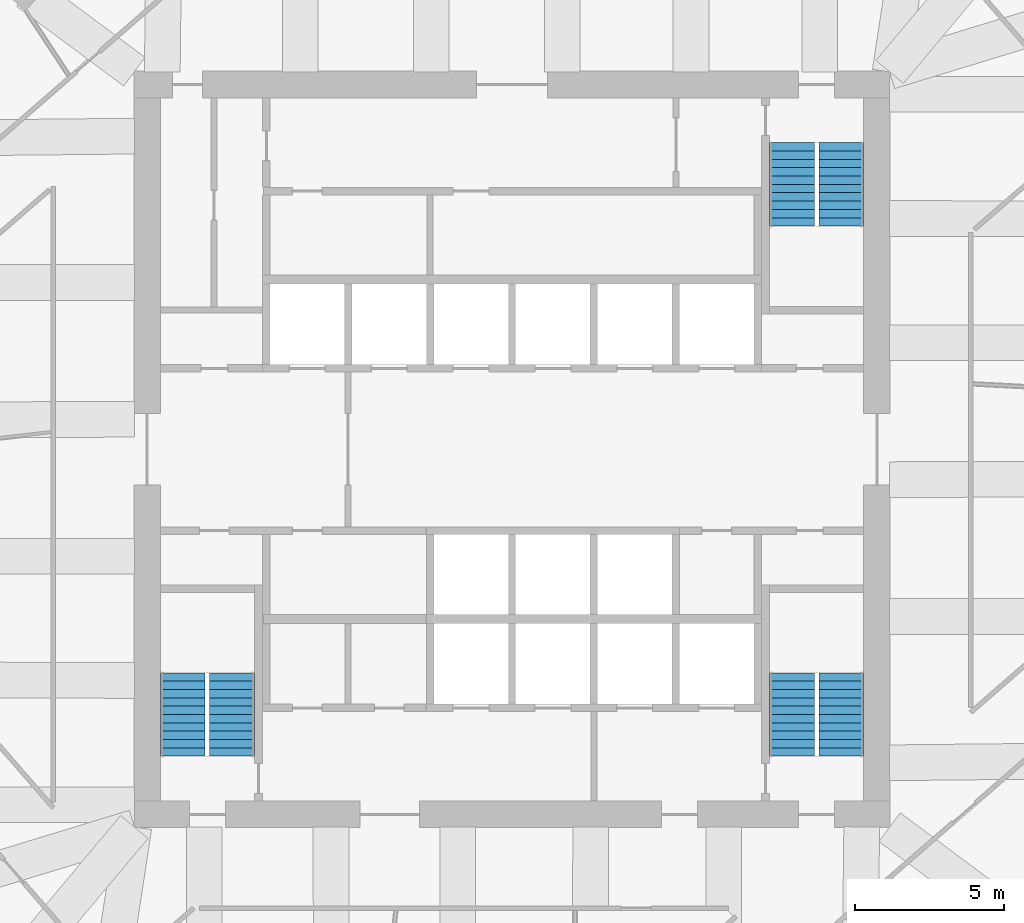
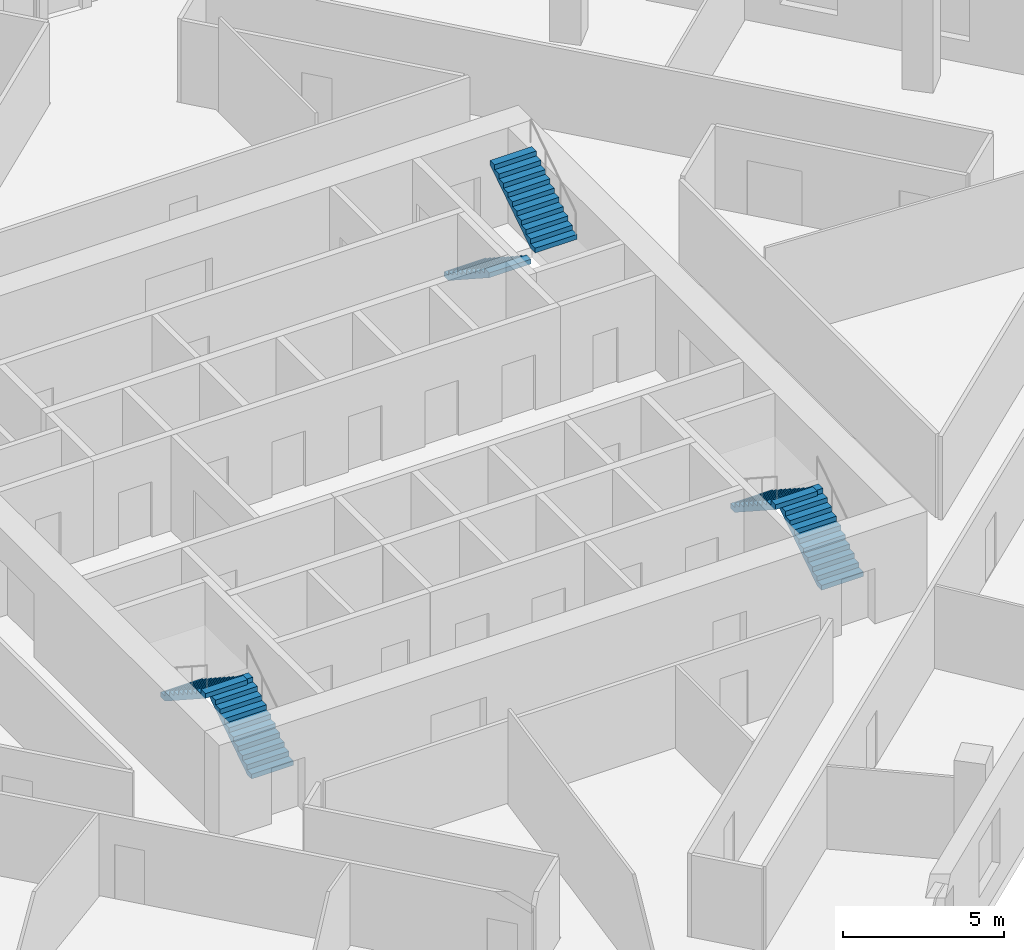
# One storey, part 9 of 11: 6 stair flights, 3 elements without a shape of their own.
"""IFC4 building model written with IfcOpenShell, lengths in metres."""

import ifcopenshell
import ifcopenshell.guid

model = None  # the IFC model being written
_history = None  # IfcOwnerHistory: only IFC2X3 demands one
_inside = {}  # id of a spatial element -> (the spatial element, [elements in it])
_under = {}  # id of a project, library or spatial element -> (it, [spatial elements below it])
_declared = {}  # id of a project -> (the project, [libraries it declares])
_typed = {}  # id of a type object -> (the type object, [elements of that type])
_made_of = {}  # id of a material, layer set ... -> (it, [elements and type objects made of it])


def new_model(schema):
    """Start an empty IFC model of exactly this schema.

    Asked for "IFC4X3", IfcOpenShell would pick the latest addendum, in which some entities
    have other attributes; the version numbers below select the first issue.
    IFC2X3 requires an IfcOwnerHistory on every rooted entity: one is made here for all.
    """
    global model, _history
    if schema == "IFC4X3":
        model = ifcopenshell.file(schema_version=(4, 3, 0, 0))
    else:
        model = ifcopenshell.file(schema=schema)
    _inside.clear()
    _under.clear()
    _declared.clear()
    _typed.clear()
    _made_of.clear()
    _history = None
    if model.schema == "IFC2X3":
        org = make("IfcOrganization", Name="unknown")
        user = make(
            "IfcPersonAndOrganization",
            ThePerson=make("IfcPerson", FamilyName="unknown"),
            TheOrganization=org,
        )
        app = make(
            "IfcApplication",
            ApplicationDeveloper=org,
            Version="unknown",
            ApplicationFullName="unknown",
            ApplicationIdentifier="unknown",
        )
        _history = make(
            "IfcOwnerHistory",
            OwningUser=user,
            OwningApplication=app,
            ChangeAction="ADDED",
            CreationDate=0,
        )
    return model


def make(cls, **values):
    """One entity of the class cls with the attributes given. An attribute that is None is left unset."""
    return model.create_entity(
        cls, **{name: value for name, value in values.items() if value is not None}
    )


def rooted(cls, **values):
    """An entity with a GlobalId (a new one), such as an element, a storey or a relation."""
    return make(cls, GlobalId=ifcopenshell.guid.new(), OwnerHistory=_history, **values)


def si_unit(unit_type, name, prefix=None):
    """IfcSIUnit, for example si_unit("LENGTHUNIT", "METRE", prefix="MILLI")."""
    return make("IfcSIUnit", UnitType=unit_type, Prefix=prefix, Name=name)


def assignment(units):
    """IfcUnitAssignment: the units of a project."""
    return None if units is None else make("IfcUnitAssignment", Units=units)


def point(xyz):
    """IfcCartesianPoint."""
    return None if xyz is None else make("IfcCartesianPoint", Coordinates=xyz)


def direction(xyz):
    """IfcDirection."""
    return None if xyz is None else make("IfcDirection", DirectionRatios=xyz)


def frame(location, z_axis=None, x_axis=None):
    """IfcAxis2Placement3D, a coordinate frame: its origin and axes. An axis left out is left unset."""
    return make(
        "IfcAxis2Placement3D",
        Location=point(location),
        Axis=direction(z_axis),
        RefDirection=direction(x_axis),
    )


def origin():
    """The frame at (0, 0, 0) with its axes left unset."""
    return frame((0.0, 0.0, 0.0))


def place(relative_to, where):
    """IfcLocalPlacement: puts the frame where relative to a parent placement (None: the world)."""
    return make(
        "IfcLocalPlacement", PlacementRelTo=relative_to, RelativePlacement=where
    )


def context(
    kind, dimensions, precision=None, world=None, true_north=None, identifier=None
):
    """IfcGeometricRepresentationContext, for example the 3D "Model" context."""
    return make(
        "IfcGeometricRepresentationContext",
        ContextIdentifier=identifier,
        ContextType=kind,
        CoordinateSpaceDimension=dimensions,
        Precision=precision,
        WorldCoordinateSystem=world,
        TrueNorth=true_north,
    )


def subcontext(parent, identifier, kind, view, scale=None):
    """IfcGeometricRepresentationSubContext, for example "Body" below "Model"."""
    return make(
        "IfcGeometricRepresentationSubContext",
        ContextIdentifier=identifier,
        ContextType=kind,
        ParentContext=parent,
        TargetScale=scale,
        TargetView=view,
    )


def project(units=None, contexts=None):
    """IfcProject with its units and contexts."""
    return rooted(
        "IfcProject",
        Name="project",
        RepresentationContexts=contexts,
        UnitsInContext=assignment(units),
    )


def spatial(cls, under=None, at=None, **own):
    """A site, building, storey or space (cls), placed at a placement, below another one or the project."""
    s = rooted(cls, ObjectPlacement=at, **own)
    if under is not None:
        _under.setdefault(under.id(), (under, []))[1].append(s)
    return s


def polyline(points):
    """IfcPolyline through the points."""
    return make("IfcPolyline", Points=[point(p) for p in points])


def outline(outer, holes=None, kind="AREA"):
    """IfcArbitraryClosedProfileDef: a profile drawn as a closed curve; with holes, ...WithVoids."""
    if holes is None:
        return make("IfcArbitraryClosedProfileDef", ProfileType=kind, OuterCurve=outer)
    return make(
        "IfcArbitraryProfileDefWithVoids",
        ProfileType=kind,
        OuterCurve=outer,
        InnerCurves=holes,
    )


def extrude(swept, where, along, depth):
    """IfcExtrudedAreaSolid: the profile swept, set in the frame where, extruded along a direction by depth."""
    return make(
        "IfcExtrudedAreaSolid",
        SweptArea=swept,
        Position=where,
        ExtrudedDirection=direction(along),
        Depth=depth,
    )


def shape(context_of_items, identifier, shape_type, items):
    """IfcShapeRepresentation: the items that make up one representation, for example the "Body"."""
    return make(
        "IfcShapeRepresentation",
        ContextOfItems=context_of_items,
        RepresentationIdentifier=identifier,
        RepresentationType=shape_type,
        Items=items,
    )


def material(Name=None, Category=None):
    """IfcMaterial."""
    return make("IfcMaterial", Name=Name, Category=Category)


def made_of(thing, what):
    """Note that an element or type object is made of a material, layer set ...; save() writes the relation."""
    if what is not None:
        _made_of.setdefault(what.id(), (what, []))[1].append(thing)
    return thing


def type_object(cls, material=None, **own):
    """A type object (cls), such as IfcWallType, which elements share."""
    return made_of(rooted(cls, **own), material)


def element(
    cls,
    number,
    at=None,
    inside=None,
    cuts=None,
    type_object=None,
    material=None,
    context=None,
    identifier="Body",
    shape_type=None,
    held_by="IfcProductDefinitionShape",
    body=None,
    shapes=None,
    **own,
):
    """One element of the class cls, such as IfcWall. Its Tag is "e" and its number.

    at: its placement. inside: the storey or other place that contains it. cuts: it is an
    opening in that element (IfcRelVoidsElement). A single representation is given by context,
    identifier, shape_type and body (its items); several are given by shapes. held_by: the class
    of the entity that holds the representations. save() writes the other relations.
    """
    e = rooted(cls, Tag="e%d" % number, ObjectPlacement=at, **own)
    if body is not None:
        shapes = [shape(context, identifier, shape_type, body)]
    if shapes is not None:
        e.Representation = make(held_by, Representations=shapes)
    if inside is not None:
        _inside.setdefault(inside.id(), (inside, []))[1].append(e)
    if cuts is not None:
        rooted(
            "IfcRelVoidsElement", RelatingBuildingElement=cuts, RelatedOpeningElement=e
        )
    if type_object is not None:
        _typed.setdefault(type_object.id(), (type_object, []))[1].append(e)
    return made_of(e, material)


def aggregate(whole, parts):
    """IfcRelAggregates: a whole, such as a stair, and the parts it consists of."""
    return rooted("IfcRelAggregates", RelatingObject=whole, RelatedObjects=parts)


def save(model, path):
    """Write the relations noted so far, then the file.

    IfcRelAggregates (storeys below a building ...), IfcRelContainedInSpatialStructure (elements
    in a storey), IfcRelDefinesByType, IfcRelAssociatesMaterial and IfcRelDeclares: one each for
    every whole, place, type object, material and project.
    """
    for whole, parts in _under.values():
        aggregate(whole, parts)
    for where, things in _inside.values():
        rooted(
            "IfcRelContainedInSpatialStructure",
            RelatedElements=things,
            RelatingStructure=where,
        )
    for kind, things in _typed.values():
        rooted("IfcRelDefinesByType", RelatedObjects=things, RelatingType=kind)
    for what, things in _made_of.values():
        rooted("IfcRelAssociatesMaterial", RelatedObjects=things, RelatingMaterial=what)
    for by, libraries in _declared.values():
        rooted("IfcRelDeclares", RelatingContext=by, RelatedDefinitions=libraries)
    model.write(path)


model = new_model("IFC4")

# Units and contexts
model_context = context("Model", 3, precision=1e-05, world=origin(), true_north=direction((0.0, 1.0)))
body_context = subcontext(model_context, "Body", "Model", "MODEL_VIEW")
ifc_project = project(units=[si_unit("LENGTHUNIT", "METRE"), si_unit("AREAUNIT", "SQUARE_METRE"), si_unit("VOLUMEUNIT", "CUBIC_METRE"), si_unit("PLANEANGLEUNIT", "RADIAN"), si_unit("MASSUNIT", "GRAM", prefix="KILO")], contexts=[model_context])

# Site, building, storey
site_placement = place(None, origin())
site = spatial("IfcSite", under=ifc_project, at=site_placement, CompositionType="ELEMENT")
building_placement = place(site_placement, origin())
building = spatial("IfcBuilding", under=site, at=building_placement, Name="Dilmun Exchange Tower", CompositionType="ELEMENT")
storey_placement = place(building_placement, frame((0.0, 0.0, 189.300048828125)))
storey = spatial("IfcBuildingStorey", under=building, at=storey_placement, Name="L44", CompositionType="ELEMENT", Elevation=189.300048828125)

# Stair, stair flights
ifc_material = material(Name="Concrete C40/50", Category="concrete")
stair_type = type_object("IfcStairType", Name="Exit stair 1500 half-turn", PredefinedType="HALF_TURN_STAIR", material=ifc_material)
stair_1_placement = place(storey_placement, origin())
stair_1 = element("IfcStair", 1, at=stair_1_placement, inside=storey, type_object=stair_type, Name="L44 Protected exit stair ST1", PredefinedType="HALF_TURN_STAIR")
stair_flight_type = type_object("IfcStairFlightType", Name="Exit stair flight 1500", PredefinedType="STRAIGHT", material=ifc_material)
stair_flight_1_placement = place(storey_placement, frame((9.39990234375, 10.300048828125, 0.0), z_axis=(0.0, 0.0, 1.0), x_axis=(0.0, -1.0, 0.0)))
stair_flight_1 = element("IfcStairFlight", 2, at=stair_flight_1_placement, type_object=stair_flight_type, Name="ST1 flight 1", NumberOfRisers=11, NumberOfTreads=10, PredefinedType="STRAIGHT", RiserHeight=0.181818182, TreadLength=0.28, context=body_context, shape_type="SweptSolid", body=[
    extrude(outline(polyline([(0.0, 0.0), (0.0, 0.181884765625), (0.280029296875, 0.181884765625), (0.280029296875, 0.363525390625), (0.56005859375, 0.363525390625), (0.56005859375, 0.54541015625), (0.840087890625, 0.54541015625), (0.840087890625, 0.727294921875), (1.1201171875, 0.727294921875), (1.1201171875, 0.9091796875), (1.39990234375, 0.9091796875), (1.39990234375, 1.0908203125), (1.679931640625, 1.0908203125), (1.679931640625, 1.272705078125), (1.9599609375, 1.272705078125), (1.9599609375, 1.45458984375), (2.239990234375, 1.45458984375), (2.239990234375, 1.636474609375), (2.52001953125, 1.636474609375), (2.52001953125, 1.818115234375), (2.800048828125, 1.818115234375), (2.800048828125, 2.0), (2.800048828125, 1.639404296875), (0.275146484375, 0.0), (0.0, 0.0)])), frame((0.0, 0.75, 0.0), z_axis=(0.0, -1.0, 0.0), x_axis=(1.0, 0.0, 0.0)), (0.0, 0.0, 1.0), 1.5),
])
stair_flight_2_placement = place(storey_placement, frame((11.050048828125, 7.5, 2.0), z_axis=(0.0, 0.0, 1.0), x_axis=(0.0, 1.0, 0.0)))
stair_flight_2 = element("IfcStairFlight", 3, at=stair_flight_2_placement, type_object=stair_flight_type, Name="ST1 flight 2", NumberOfRisers=11, NumberOfTreads=10, PredefinedType="STRAIGHT", RiserHeight=0.181818182, TreadLength=0.28, context=body_context, shape_type="SweptSolid", body=[
    extrude(outline(polyline([(0.0, 0.0), (0.0, 0.181884765625), (0.280029296875, 0.181884765625), (0.280029296875, 0.363525390625), (0.56005859375, 0.363525390625), (0.56005859375, 0.54541015625), (0.840087890625, 0.54541015625), (0.840087890625, 0.727294921875), (1.1201171875, 0.727294921875), (1.1201171875, 0.9091796875), (1.39990234375, 0.9091796875), (1.39990234375, 1.0908203125), (1.679931640625, 1.0908203125), (1.679931640625, 1.272705078125), (1.9599609375, 1.272705078125), (1.9599609375, 1.45458984375), (2.239990234375, 1.45458984375), (2.239990234375, 1.636474609375), (2.52001953125, 1.636474609375), (2.52001953125, 1.818115234375), (2.800048828125, 1.818115234375), (2.800048828125, 2.0), (2.800048828125, 1.639404296875), (0.275146484375, 0.0), (0.0, 0.0)])), frame((0.0, 0.75, 0.0), z_axis=(0.0, -1.0, 0.0), x_axis=(1.0, 0.0, 0.0)), (0.0, 0.0, 1.0), 1.5),
])
aggregate(stair_1, [stair_flight_1, stair_flight_2])

stair_2_placement = place(storey_placement, origin())
stair_2 = element("IfcStair", 4, at=stair_2_placement, inside=storey, type_object=stair_type, Name="L44 Protected exit stair ST2", PredefinedType="HALF_TURN_STAIR")
stair_flight_3_placement = place(storey_placement, frame((-9.39990234375, -10.300048828125, 0.0), z_axis=(0.0, 0.0, 1.0), x_axis=(0.0, 1.0, 0.0)))
stair_flight_3 = element("IfcStairFlight", 5, at=stair_flight_3_placement, type_object=stair_flight_type, Name="ST2 flight 1", NumberOfRisers=11, NumberOfTreads=10, PredefinedType="STRAIGHT", RiserHeight=0.181818182, TreadLength=0.28, context=body_context, shape_type="SweptSolid", body=[
    extrude(outline(polyline([(0.0, 0.0), (0.0, 0.181884765625), (0.280029296875, 0.181884765625), (0.280029296875, 0.363525390625), (0.56005859375, 0.363525390625), (0.56005859375, 0.54541015625), (0.840087890625, 0.54541015625), (0.840087890625, 0.727294921875), (1.1201171875, 0.727294921875), (1.1201171875, 0.9091796875), (1.39990234375, 0.9091796875), (1.39990234375, 1.0908203125), (1.679931640625, 1.0908203125), (1.679931640625, 1.272705078125), (1.9599609375, 1.272705078125), (1.9599609375, 1.45458984375), (2.239990234375, 1.45458984375), (2.239990234375, 1.636474609375), (2.52001953125, 1.636474609375), (2.52001953125, 1.818115234375), (2.800048828125, 1.818115234375), (2.800048828125, 2.0), (2.800048828125, 1.639404296875), (0.275146484375, 0.0), (0.0, 0.0)])), frame((0.0, 0.75, 0.0), z_axis=(0.0, -1.0, 0.0), x_axis=(1.0, 0.0, 0.0)), (0.0, 0.0, 1.0), 1.5),
])
stair_flight_4_placement = place(storey_placement, frame((-11.050048828125, -7.5, 2.0), z_axis=(0.0, 0.0, 1.0), x_axis=(0.0, -1.0, 0.0)))
stair_flight_4 = element("IfcStairFlight", 6, at=stair_flight_4_placement, type_object=stair_flight_type, Name="ST2 flight 2", NumberOfRisers=11, NumberOfTreads=10, PredefinedType="STRAIGHT", RiserHeight=0.181818182, TreadLength=0.28, context=body_context, shape_type="SweptSolid", body=[
    extrude(outline(polyline([(0.0, 0.0), (0.0, 0.181884765625), (0.280029296875, 0.181884765625), (0.280029296875, 0.363525390625), (0.56005859375, 0.363525390625), (0.56005859375, 0.54541015625), (0.840087890625, 0.54541015625), (0.840087890625, 0.727294921875), (1.1201171875, 0.727294921875), (1.1201171875, 0.9091796875), (1.39990234375, 0.9091796875), (1.39990234375, 1.0908203125), (1.679931640625, 1.0908203125), (1.679931640625, 1.272705078125), (1.9599609375, 1.272705078125), (1.9599609375, 1.45458984375), (2.239990234375, 1.45458984375), (2.239990234375, 1.636474609375), (2.52001953125, 1.636474609375), (2.52001953125, 1.818115234375), (2.800048828125, 1.818115234375), (2.800048828125, 2.0), (2.800048828125, 1.639404296875), (0.275146484375, 0.0), (0.0, 0.0)])), frame((0.0, 0.75, 0.0), z_axis=(0.0, -1.0, 0.0), x_axis=(1.0, 0.0, 0.0)), (0.0, 0.0, 1.0), 1.5),
])
aggregate(stair_2, [stair_flight_3, stair_flight_4])

stair_3_placement = place(storey_placement, origin())
stair_3 = element("IfcStair", 7, at=stair_3_placement, inside=storey, type_object=stair_type, Name="L44 Protected exit stair ST3", PredefinedType="HALF_TURN_STAIR")
stair_flight_5_placement = place(storey_placement, frame((11.050048828125, -10.300048828125, 0.0), z_axis=(0.0, 0.0, 1.0), x_axis=(0.0, 1.0, 0.0)))
stair_flight_5 = element("IfcStairFlight", 8, at=stair_flight_5_placement, type_object=stair_flight_type, Name="ST3 flight 1", NumberOfRisers=11, NumberOfTreads=10, PredefinedType="STRAIGHT", RiserHeight=0.181818182, TreadLength=0.28, context=body_context, shape_type="SweptSolid", body=[
    extrude(outline(polyline([(0.0, 0.0), (0.0, 0.181884765625), (0.280029296875, 0.181884765625), (0.280029296875, 0.363525390625), (0.56005859375, 0.363525390625), (0.56005859375, 0.54541015625), (0.840087890625, 0.54541015625), (0.840087890625, 0.727294921875), (1.1201171875, 0.727294921875), (1.1201171875, 0.9091796875), (1.39990234375, 0.9091796875), (1.39990234375, 1.0908203125), (1.679931640625, 1.0908203125), (1.679931640625, 1.272705078125), (1.9599609375, 1.272705078125), (1.9599609375, 1.45458984375), (2.239990234375, 1.45458984375), (2.239990234375, 1.636474609375), (2.52001953125, 1.636474609375), (2.52001953125, 1.818115234375), (2.800048828125, 1.818115234375), (2.800048828125, 2.0), (2.800048828125, 1.639404296875), (0.275146484375, 0.0), (0.0, 0.0)])), frame((0.0, 0.75, 0.0), z_axis=(0.0, -1.0, 0.0), x_axis=(1.0, 0.0, 0.0)), (0.0, 0.0, 1.0), 1.5),
])
stair_flight_6_placement = place(storey_placement, frame((9.39990234375, -7.5, 2.0), z_axis=(0.0, 0.0, 1.0), x_axis=(0.0, -1.0, 0.0)))
stair_flight_6 = element("IfcStairFlight", 9, at=stair_flight_6_placement, type_object=stair_flight_type, Name="ST3 flight 2", NumberOfRisers=11, NumberOfTreads=10, PredefinedType="STRAIGHT", RiserHeight=0.181818182, TreadLength=0.28, context=body_context, shape_type="SweptSolid", body=[
    extrude(outline(polyline([(0.0, 0.0), (0.0, 0.181884765625), (0.280029296875, 0.181884765625), (0.280029296875, 0.363525390625), (0.56005859375, 0.363525390625), (0.56005859375, 0.54541015625), (0.840087890625, 0.54541015625), (0.840087890625, 0.727294921875), (1.1201171875, 0.727294921875), (1.1201171875, 0.9091796875), (1.39990234375, 0.9091796875), (1.39990234375, 1.0908203125), (1.679931640625, 1.0908203125), (1.679931640625, 1.272705078125), (1.9599609375, 1.272705078125), (1.9599609375, 1.45458984375), (2.239990234375, 1.45458984375), (2.239990234375, 1.636474609375), (2.52001953125, 1.636474609375), (2.52001953125, 1.818115234375), (2.800048828125, 1.818115234375), (2.800048828125, 2.0), (2.800048828125, 1.639404296875), (0.275146484375, 0.0), (0.0, 0.0)])), frame((0.0, 0.75, 0.0), z_axis=(0.0, -1.0, 0.0), x_axis=(1.0, 0.0, 0.0)), (0.0, 0.0, 1.0), 1.5),
])
aggregate(stair_3, [stair_flight_5, stair_flight_6])

save(model, "model.ifc")
